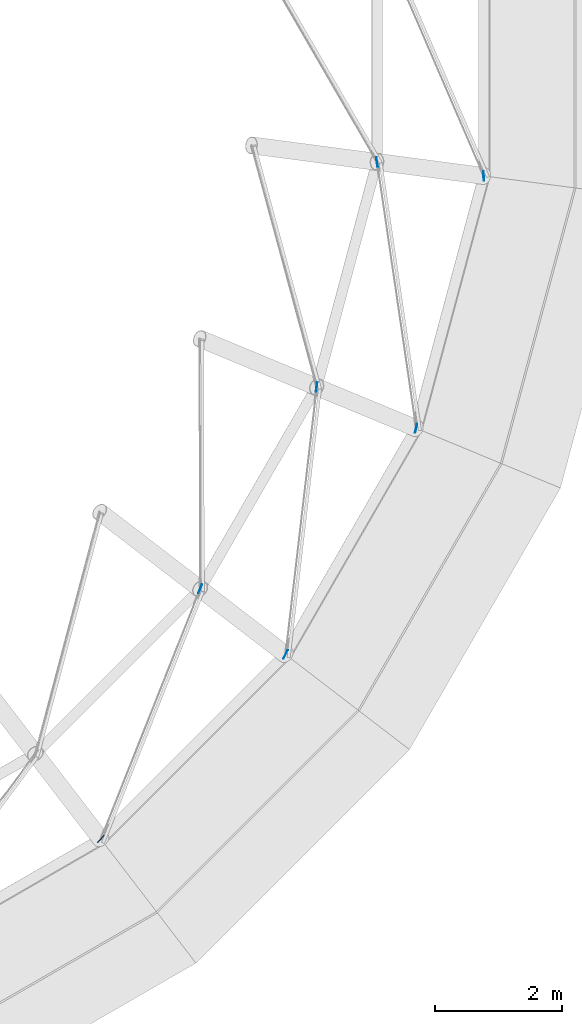
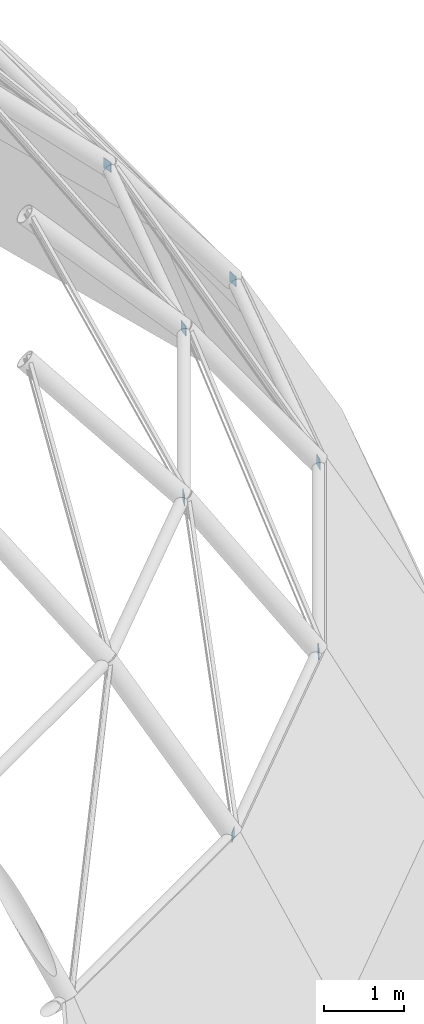
# One storey, part 49 of 62: 7 discrete accessories.
"""IFC4 building model written with IfcOpenShell, lengths in metres."""

from ifc_helpers import new_model, si_unit, direction, frame, origin, origin_2d, place, context, subcontext, project, spatial, rectangle, extrude, material, type_object, element, save


model = new_model("IFC4")

# Units and contexts
model_context = context("Model", 3, precision=1e-05, world=origin(), true_north=direction((0.0, 1.0)))
body_context = subcontext(model_context, "Body", "Model", "MODEL_VIEW")
ifc_project = project(units=[si_unit("LENGTHUNIT", "METRE"), si_unit("AREAUNIT", "SQUARE_METRE"), si_unit("VOLUMEUNIT", "CUBIC_METRE"), si_unit("PLANEANGLEUNIT", "RADIAN"), si_unit("MASSUNIT", "GRAM", prefix="KILO")], contexts=[model_context])

# Site, building, storey
site_placement = place(None, origin())
site = spatial("IfcSite", under=ifc_project, at=site_placement, CompositionType="ELEMENT")
building_placement = place(site_placement, origin())
building = spatial("IfcBuilding", under=site, at=building_placement, Name="Hortulan Conservatory and Botanical Research Centre", CompositionType="ELEMENT")
storey_placement = place(building_placement, frame((0.0, 0.0, 15.0)))
storey = spatial("IfcBuildingStorey", under=building, at=storey_placement, Name="L03", CompositionType="ELEMENT", Elevation=15.0)

# Discrete accessories
ifc_material = material(Name="Steel Grade 300 plate (AS/NZS 3678, 280 MPa minimum yield)", Category="steel")
discrete_accessory_type = type_object("IfcDiscreteAccessoryType", Name="End Plate 150x10", PredefinedType="BRACKET", material=ifc_material)
for number, where, z_axis, x_axis, name in (
    (1, (63.619873046875, 5.463134765625, 0.4404296875), (0.0, 0.0, 1.0), (0.676798882065, 0.736167965369, 0.0), "Dome rod end plate"),
    (2, (65.188232421875, 9.414794921875, 2.636962890625), (0.0, 0.0, 1.0), (0.36888712881, 0.92947419878, 0.0), "Dome rod end plate"),
    (3, (66.536865234375, 8.380126953125, 0.4404296875), (0.0, 0.0, 1.0), (0.463203229558, 0.886252090619, 0.0), "Dome rod end plate"),
    (4, (67.029052734375, 12.603271484375, 2.636962890625), (0.0, 0.0, 1.0), (0.115734644136, 0.993280168002, 0.0), "Dome rod end plate"),
    (5, (67.98193359375, 16.1591796875, 2.636962890625), (0.0, 0.0, 1.0), (0.145254206544, -0.989394368026, 0.0), "Dome rod end plate"),
    (6, (68.599609375, 11.95263671875, 0.4404296875), (0.0, 0.0, 1.0), (0.218041042436, 0.975939600494, 0.0), "Dome rod end plate"),
    (7, (69.667236328125, 15.9375, 0.4404296875), (0.0, 0.0, 1.0), (0.041980281398, -0.999118439412, 0.0), "Dome rod end plate"),
):
    element("IfcDiscreteAccessory", number, at=place(storey_placement, frame(where, z_axis=z_axis, x_axis=x_axis)), inside=storey, type_object=discrete_accessory_type, Name=name, PredefinedType="BRACKET", context=body_context, shape_type="SweptSolid", body=[
        extrude(rectangle(XDim=0.14990234375, YDim=0.010009765625, at=origin_2d()), origin(), (0.0, 0.0, 1.0), 0.14990234375),
    ])

save(model, "model.ifc")
